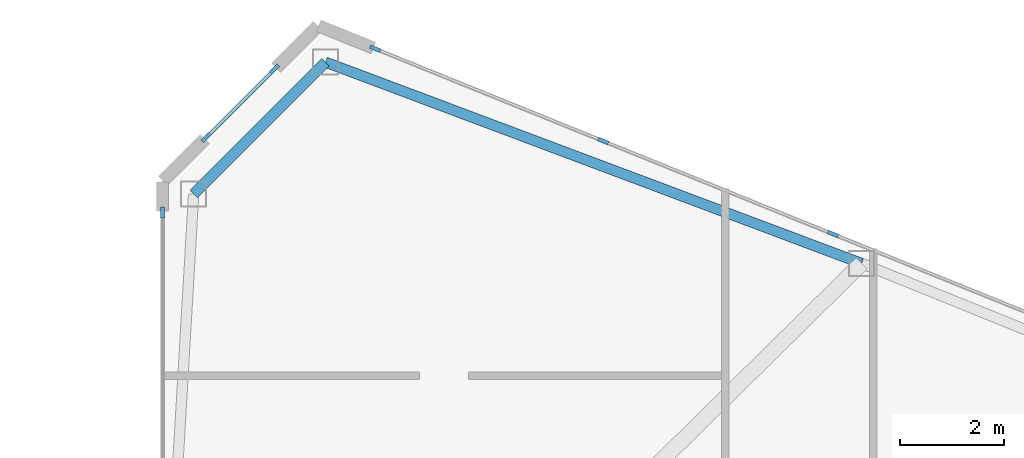
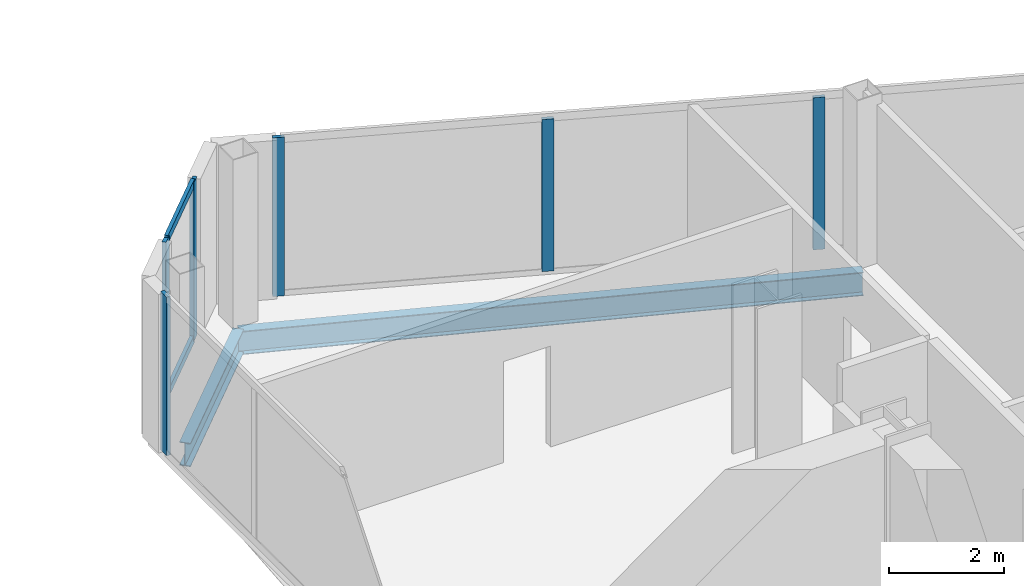
# One storey, part 13 of 25: 8 members, 2 beams, 3 elements without a shape of their own.
"""IFC4 building model written with IfcOpenShell, lengths in metres."""

from ifc_helpers import new_model, si_unit, direction, frame, origin, origin_2d, place, context, subcontext, project, spatial, rectangle, i_section, extrude, source, transform, mapped, material, layer, layer_set, material_profile, profile_set, type_object, type_shapes, element, aggregate, save


model = new_model("IFC4")

# Units and contexts
model_context = context("Model", 3, precision=1e-05, world=origin(), true_north=direction((0.0, 1.0)))
body_context = subcontext(model_context, "Body", "Model", "MODEL_VIEW")
ifc_project = project(units=[si_unit("LENGTHUNIT", "METRE"), si_unit("AREAUNIT", "SQUARE_METRE"), si_unit("VOLUMEUNIT", "CUBIC_METRE"), si_unit("PLANEANGLEUNIT", "RADIAN"), si_unit("MASSUNIT", "GRAM", prefix="KILO")], contexts=[model_context])

# Site, building, storey
site_placement = place(None, origin())
site = spatial("IfcSite", under=ifc_project, at=site_placement, CompositionType="ELEMENT")
building_placement = place(site_placement, origin())
building = spatial("IfcBuilding", under=site, at=building_placement, Name="Seokmaru Belvedere", CompositionType="ELEMENT")
storey_placement = place(building_placement, frame((0.0, 0.0, 26.10009765625)))
storey = spatial("IfcBuildingStorey", under=building, at=storey_placement, Name="L06", CompositionType="ELEMENT", Elevation=26.10009765625)

# Beams
ifc_material_1 = material(Name="Steel SM355 (355 MPa)", Category="steel")
ifc_material_profile_1 = material_profile(ifc_material_1, i_section(OverallWidth=0.199951171875, OverallDepth=0.5, WebThickness=0.010009765625, FlangeThickness=0.01611328125, at=origin_2d()), Name="H-500x200x10x16")
ifc_profile_set_1 = profile_set([ifc_material_profile_1], Name="Steel SM355 (355 MPa)")
beam_type = type_object("IfcBeamType", Name="Perimeter Spandrel Beam H-500", PredefinedType="SPANDREL", material=ifc_profile_set_1)
shared_shape_1 = source(origin(), body_context, "Body", "SweptSolid", [
    extrude(i_section(OverallWidth=0.199951171875, OverallDepth=0.5, WebThickness=0.010009765625, FlangeThickness=0.01611328125, at=origin_2d()), origin(), (0.0, 0.0, 1.0), 11.03857421875),
])
beam_1_placement = place(storey_placement, frame((30.643310546875, 26.294677734375, -0.47021484375), z_axis=(0.936169110734, -0.351549990907, 0.0), x_axis=(0.351549990907, 0.936169110734, 0.0)))
element("IfcBeam", 1, at=beam_1_placement, inside=storey, type_object=beam_type, Name="L06 E Faceted Flank Spandrel N-1", PredefinedType="SPANDREL", context=body_context, shape_type="MappedRepresentation", body=[
    mapped(shared_shape_1, transform((0.0, 0.0, 0.0), scale=1.0)),
])
shared_shape_2 = source(origin(), body_context, "Body", "SweptSolid", [
    extrude(i_section(OverallWidth=0.199951171875, OverallDepth=0.5, WebThickness=0.010009765625, FlangeThickness=0.01611328125, at=origin_2d()), origin(), (0.0, 0.0, 1.0), 3.5966796875),
])
type_shapes(beam_type, [shared_shape_1, shared_shape_2])
beam_2_placement = place(storey_placement, frame((30.643310546875, 26.294677734375, -0.47021484375), z_axis=(-0.707106781187, -0.707106781187, 0.0), x_axis=(0.707106781187, -0.707106781187, 0.0)))
element("IfcBeam", 2, at=beam_2_placement, inside=storey, type_object=beam_type, Name="L06 E Shoulder Chamfer Spandrel N", PredefinedType="SPANDREL", context=body_context, shape_type="MappedRepresentation", body=[
    mapped(shared_shape_2, transform((0.0, 0.0, 0.0), scale=1.0)),
])

# Curtain wall, members
ifc_material_2 = material(Name="Bronze Triple Insulating Glass", Category="glass")
ifc_layer = layer(ifc_material_2, 0.2099609375)
ifc_layer_set = layer_set([ifc_layer], Name="Bronze Triple Insulating Glass")
curtain_wall_type = type_object("IfcCurtainWallType", Name="Low-Rise Faceted Crystal Curtain Wall System CW-2", PredefinedType="NOTDEFINED", material=ifc_layer_set)
curtain_wall_1_placement = place(storey_placement, origin())
curtain_wall_1 = element("IfcCurtainWall", 3, at=curtain_wall_1_placement, inside=storey, type_object=curtain_wall_type, Name="L06 Curtain Wall EF4", PredefinedType="NOTDEFINED")
ifc_material_3 = material(Name="Anodised Bronze Aluminium", Category="aluminium")
ifc_material_profile_2 = material_profile(ifc_material_3, rectangle(XDim=0.070068359375, YDim=0.1650390625, at=origin_2d()), Name="CW-T-70x165")
ifc_profile_set_2 = profile_set([ifc_material_profile_2], Name="Anodised Bronze Aluminium")
member_type_1 = type_object("IfcMemberType", Name="Bronze Unitised Transom 70x165", PredefinedType="USERDEFINED", material=ifc_profile_set_2)
shared_shape_3 = source(origin(), body_context, "Body", "SweptSolid", [
    extrude(rectangle(XDim=0.070068359375, YDim=0.1650390625, at=origin_2d()), origin(), (0.0, 0.0, 1.0), 1.792724609375),
])
type_shapes(member_type_1, [shared_shape_3])
member_1_placement = place(storey_placement, frame((29.6337890625, 26.1337890625, 0.034912109375), z_axis=(-0.707106781187, -0.707106781187, 0.0), x_axis=(0.707106781187, -0.707106781187, 0.0)))
member_1 = element("IfcMember", 4, at=member_1_placement, type_object=member_type_1, Name="CW:L06:EF4 Continuous Transom 1", ObjectType="TRANSOM", PredefinedType="USERDEFINED", context=body_context, shape_type="MappedRepresentation", body=[
    mapped(shared_shape_3, transform((0.0, 0.0, 0.0), scale=1.0)),
])
member_2_placement = place(storey_placement, frame((29.6337890625, 26.1337890625, 3.344970703125), z_axis=(-0.707106781187, -0.707106781187, 0.0), x_axis=(0.707106781187, -0.707106781187, 0.0)))
member_2 = element("IfcMember", 5, at=member_2_placement, type_object=member_type_1, Name="CW:L06:EF4 Continuous Transom 2", ObjectType="TRANSOM", PredefinedType="USERDEFINED", context=body_context, shape_type="MappedRepresentation", body=[
    mapped(shared_shape_3, transform((0.0, 0.0, 0.0), scale=1.0)),
])

curtain_wall_2_placement = place(storey_placement, origin())
curtain_wall_2 = element("IfcCurtainWall", 6, at=curtain_wall_2_placement, inside=storey, type_object=curtain_wall_type, Name="L06 Curtain Wall EF3", PredefinedType="NOTDEFINED")
ifc_material_profile_3 = material_profile(ifc_material_3, rectangle(XDim=0.074951171875, YDim=0.2099609375, at=origin_2d()), Name="CW-M-75x210")
ifc_profile_set_3 = profile_set([ifc_material_profile_3], Name="Anodised Bronze Aluminium")
member_type_2 = type_object("IfcMemberType", Name="Bronze Unitised Mullion 75x210", PredefinedType="MULLION", material=ifc_profile_set_3)
shared_shape_4 = source(origin(), body_context, "Body", "SweptSolid", [
    extrude(rectangle(XDim=0.074951171875, YDim=0.2099609375, at=origin_2d()), origin(), (0.0, 0.0, 1.0), 3.239990234375),
])
member_3_placement = place(storey_placement, frame((40.425537109375, 22.982421875, 0.06982421875), z_axis=(0.0, 0.0, 1.0), x_axis=(-0.375192321888, -0.926946989637, 0.0)))
member_3 = element("IfcMember", 7, at=member_3_placement, type_object=member_type_2, Name="CW:L06:EF3 Mullion 8", PredefinedType="MULLION", context=body_context, shape_type="MappedRepresentation", body=[
    mapped(shared_shape_4, transform((0.0, 0.0, 0.0), scale=1.0)),
])
member_4_placement = place(storey_placement, frame((35.995849609375, 24.775390625, 0.06982421875), z_axis=(0.0, 0.0, 1.0), x_axis=(-0.375192321888, -0.926946989637, 0.0)))
member_4 = element("IfcMember", 8, at=member_4_placement, type_object=member_type_2, Name="CW:L06:EF3 Mullion 9", PredefinedType="MULLION", context=body_context, shape_type="MappedRepresentation", body=[
    mapped(shared_shape_4, transform((0.0, 0.0, 0.0), scale=1.0)),
])
shared_shape_5 = source(origin(), body_context, "Body", "SweptSolid", [
    extrude(rectangle(XDim=0.074951171875, YDim=0.2099609375, at=origin_2d()), origin(), (0.0, 0.0, 1.0), 3.3798828125),
])
type_shapes(member_type_2, [shared_shape_4, shared_shape_5])
member_5_placement = place(storey_placement, frame((31.600830078125, 26.554443359375, 0.0), z_axis=(0.0, 0.0, 1.0), x_axis=(-0.375192321888, -0.926946989637, 0.0)))
member_5 = element("IfcMember", 9, at=member_5_placement, type_object=member_type_2, Name="CW:L06:EF3 Mullion 10", PredefinedType="MULLION", context=body_context, shape_type="MappedRepresentation", body=[
    mapped(shared_shape_5, transform((0.0, 0.0, 0.0), scale=1.0)),
])
aggregate(curtain_wall_2, [member_3, member_4, member_5])

# Member
member_6_placement = place(storey_placement, frame((29.660400390625, 26.160400390625, 0.0), z_axis=(0.0, 0.0, 1.0), x_axis=(0.707106781187, -0.707106781187, 0.0)))
member_6 = element("IfcMember", 10, at=member_6_placement, type_object=member_type_2, Name="CW:L06:EF4 Mullion 1", PredefinedType="MULLION", context=body_context, shape_type="MappedRepresentation", body=[
    mapped(shared_shape_5, transform((0.0, 0.0, 0.0), scale=1.0)),
])

member_7_placement = place(storey_placement, frame((28.339599609375, 24.839599609375, 0.0), z_axis=(0.0, 0.0, 1.0), x_axis=(0.707106781187, -0.707106781187, 0.0)))
member_7 = element("IfcMember", 11, at=member_7_placement, type_object=member_type_2, Name="CW:L06:EF4 Mullion 2", PredefinedType="MULLION", context=body_context, shape_type="MappedRepresentation", body=[
    mapped(shared_shape_5, transform((0.0, 0.0, 0.0), scale=1.0)),
])

aggregate(curtain_wall_1, [member_6, member_7, member_1, member_2])

# Curtain wall, member
curtain_wall_3_placement = place(storey_placement, origin())
curtain_wall_3 = element("IfcCurtainWall", 12, at=curtain_wall_3_placement, inside=storey, type_object=curtain_wall_type, Name="L06 Curtain Wall ESP_2", PredefinedType="NOTDEFINED")
member_8_placement = place(storey_placement, frame((27.5, 23.392578125, 0.0), z_axis=(0.0, 0.0, 1.0), x_axis=(1.0, 0.0, 0.0)))
member_8 = element("IfcMember", 13, at=member_8_placement, type_object=member_type_2, Name="CW:L06:ESP_2 Mullion 1", PredefinedType="MULLION", context=body_context, shape_type="MappedRepresentation", body=[
    mapped(shared_shape_5, transform((0.0, 0.0, 0.0), scale=1.0)),
])
aggregate(curtain_wall_3, [member_8])

save(model, "model.ifc")
